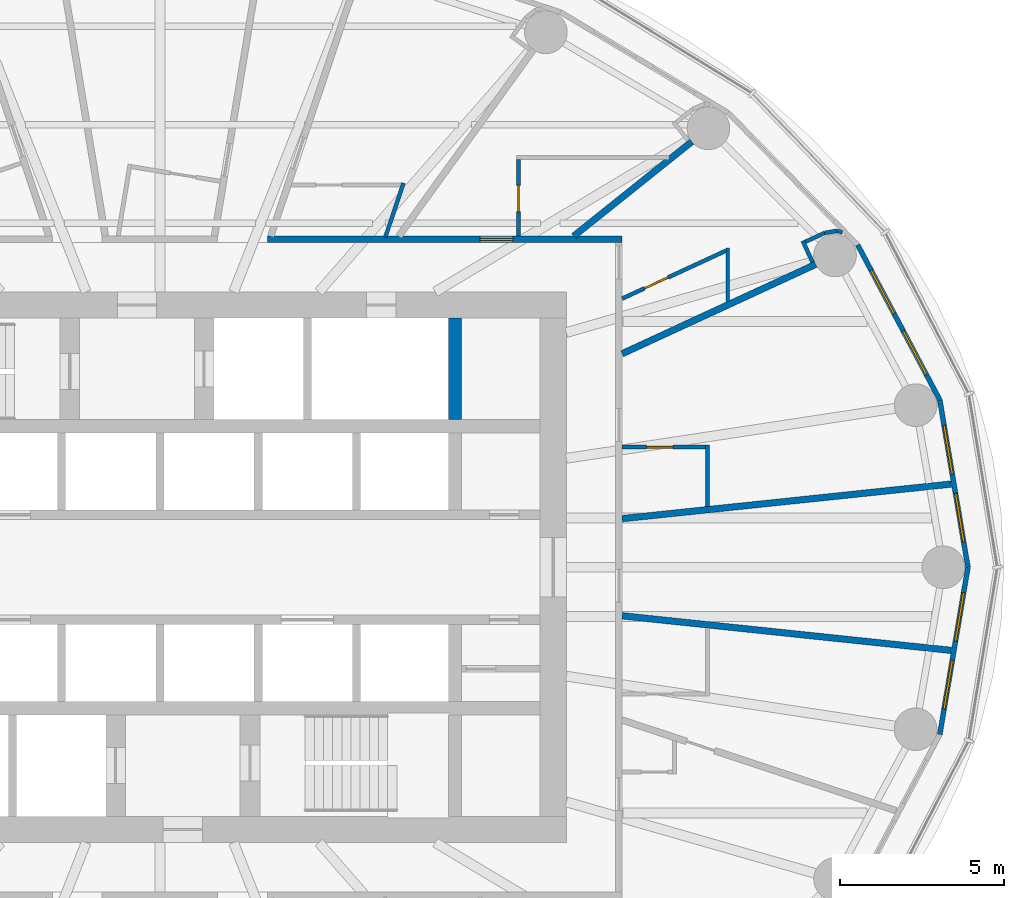
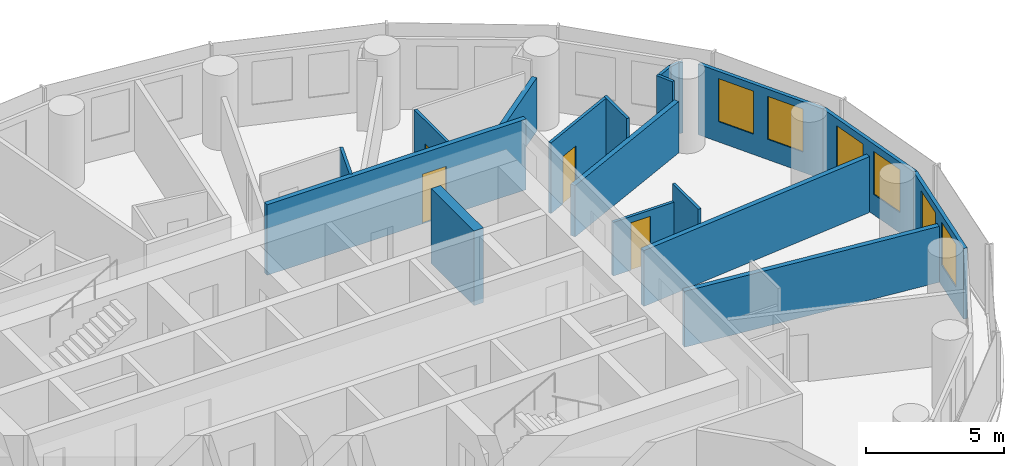
# One storey, part 10 of 13: 19 walls, 6 windows, 4 doors, 10 openings.
"""IFC4 building model written with IfcOpenShell, lengths in metres."""

from ifc_helpers import new_model, si_unit, direction, frame, frame_2d, origin, place, context, subcontext, project, spatial, rectangle, extrude, material, layer, layer_set, type_object, element, fill, save


model = new_model("IFC4")

# Units and contexts
model_context = context("Model", 3, precision=1e-05, world=origin(), true_north=direction((0.0, 1.0)))
body_context = subcontext(model_context, "Body", "Model", "MODEL_VIEW")
ifc_project = project(units=[si_unit("LENGTHUNIT", "METRE"), si_unit("AREAUNIT", "SQUARE_METRE"), si_unit("VOLUMEUNIT", "CUBIC_METRE"), si_unit("PLANEANGLEUNIT", "RADIAN"), si_unit("MASSUNIT", "GRAM", prefix="KILO")], contexts=[model_context])

# Site, building, storey
site_placement = place(None, origin())
site = spatial("IfcSite", under=ifc_project, at=site_placement, CompositionType="ELEMENT")
building_placement = place(site_placement, origin())
building = spatial("IfcBuilding", under=site, at=building_placement, Name="Hankou Lantern Tower", CompositionType="ELEMENT")
storey_placement = place(building_placement, frame((0.0, 0.0, 125.39990234375)))
storey = spatial("IfcBuildingStorey", under=building, at=storey_placement, Name="L32", CompositionType="ELEMENT", Elevation=125.39990234375)

# Wall
ifc_material_1 = material(Name="Concrete C60", Category="concrete")
ifc_layer_1 = layer(ifc_material_1, 0.39990234375)
ifc_layer_set_1 = layer_set([ifc_layer_1], Name="Concrete C60")
wall_type_1 = type_object("IfcWallType", Name="CW4 CORE CROSS WALL 400", PredefinedType="SHEAR", material=ifc_layer_set_1)
wall_1_placement = place(storey_placement, frame((9.0, 4.5, 0.0), z_axis=(0.0, 0.0, 1.0), x_axis=(0.0, 1.0, 0.0)))
element("IfcWall", 1, at=wall_1_placement, inside=storey, type_object=wall_type_1, Name="Core strip wall L32", PredefinedType="SHEAR", context=body_context, shape_type="SweptSolid", body=[
    extrude(rectangle(XDim=3.10009765625, YDim=0.39990234375, at=frame_2d((1.550048828125, 0.0))), origin(), (0.0, 0.0, 1.0), 3.300048828125),
])

# Wall, openings, windows
ifc_material_2 = material(Name="Aluminium spandrel panel on steel studs", Category="steel")
ifc_layer_2 = layer(ifc_material_2, 0.14990234375)
ifc_layer_set_2 = layer_set([ifc_layer_2], Name="Aluminium spandrel panel on steel studs")
wall_type_2 = type_object("IfcWallType", Name="EW1 INNER SKIN WALL 150", PredefinedType="ELEMENTEDWALL", material=ifc_layer_set_2)
wall_2_placement = place(storey_placement, frame((24.64990234375, 0.0, 0.0), z_axis=(0.0, 0.0, 1.0), x_axis=(-0.165883894218, 0.986145290329, 0.0)))
wall_2 = element("IfcWall", 2, at=wall_2_placement, inside=storey, type_object=wall_type_2, Name="Inner skin R01-R02 L32", PredefinedType="ELEMENTEDWALL", context=body_context, shape_type="SweptSolid", body=[
    extrude(rectangle(XDim=5.171630859375, YDim=0.14990234375, at=frame_2d((2.5859375, 0.0))), origin(), (0.0, 0.0, 1.0), 3.1201171875),
])
opening_1_placement = place(wall_2_placement, frame((0.785888671875, 0.0, 0.89990234375)))
opening_1 = element("IfcOpeningElement", 3, at=opening_1_placement, cuts=wall_2, Name="Opening W2", PredefinedType="OPENING", context=body_context, shape_type="SweptSolid", body=[
    extrude(rectangle(XDim=1.5, YDim=1.89990234375, at=frame_2d((0.75, 0.949951171875))), frame((0.0, 0.0849609375, 0.0), z_axis=(0.0, -1.0, 0.0), x_axis=(1.0, 0.0, 0.0)), (0.0, 0.0, 1.0), 0.169921875),
])
opening_2_placement = place(wall_2_placement, frame((2.8857421875, 0.0, 0.89990234375)))
opening_2 = element("IfcOpeningElement", 4, at=opening_2_placement, cuts=wall_2, Name="Opening W2", PredefinedType="OPENING", context=body_context, shape_type="SweptSolid", body=[
    extrude(rectangle(XDim=1.5, YDim=1.89990234375, at=frame_2d((0.75, 0.949951171875))), frame((0.0, 0.0849609375, 0.0), z_axis=(0.0, -1.0, 0.0), x_axis=(1.0, 0.0, 0.0)), (0.0, 0.0, 1.0), 0.169921875),
])
ifc_material_3 = material(Name="Aluminium framed double glazed window", Category="aluminium")
window_type = type_object("IfcWindowType", Name="W2 GUEST ROOM WINDOW 1500X1900", PartitioningType="DOUBLE_PANEL_VERTICAL", PredefinedType="WINDOW", material=ifc_material_3)
window_1_placement = place(opening_1_placement, origin())
window_1 = element("IfcWindow", 5, at=window_1_placement, inside=storey, type_object=window_type, Name="Window R01.1 L32", OverallHeight=1.89990234375, OverallWidth=1.5, PartitioningType="SINGLE_PANEL", PredefinedType="WINDOW", context=body_context, shape_type="SweptSolid", body=[
    extrude(rectangle(XDim=1.5, YDim=1.89990234375, at=frame_2d((0.75, 0.949951171875))), frame((0.0, 0.030029296875, 0.0), z_axis=(0.0, -1.0, 0.0), x_axis=(1.0, 0.0, 0.0)), (0.0, 0.0, 1.0), 0.06005859375),
])
fill(opening_1, window_1)
window_2_placement = place(opening_2_placement, origin())
window_2 = element("IfcWindow", 6, at=window_2_placement, inside=storey, type_object=window_type, Name="Window R01.2 L32", OverallHeight=1.89990234375, OverallWidth=1.5, PartitioningType="SINGLE_PANEL", PredefinedType="WINDOW", context=body_context, shape_type="SweptSolid", body=[
    extrude(rectangle(XDim=1.5, YDim=1.89990234375, at=frame_2d((0.75, 0.949951171875))), frame((0.0, 0.030029296875, 0.0), z_axis=(0.0, -1.0, 0.0), x_axis=(1.0, 0.0, 0.0)), (0.0, 0.0, 1.0), 0.06005859375),
])
fill(opening_2, window_2)

wall_3_placement = place(storey_placement, frame((23.7919921875, 5.10009765625, 0.0), z_axis=(0.0, 0.0, 1.0), x_axis=(-0.467814388454, 0.883826735257, 0.0)))
wall_3 = element("IfcWall", 7, at=wall_3_placement, inside=storey, type_object=wall_type_2, Name="Inner skin R02-R03 L32", PredefinedType="ELEMENTEDWALL", context=body_context, shape_type="SweptSolid", body=[
    extrude(rectangle(XDim=5.35400390625, YDim=0.14990234375, at=frame_2d((2.677001953125, 0.0))), origin(), (0.0, 0.0, 1.0), 3.1201171875),
])
opening_3_placement = place(wall_3_placement, frame((0.876953125, 0.0, 0.89990234375)))
opening_3 = element("IfcOpeningElement", 8, at=opening_3_placement, cuts=wall_3, Name="Opening W2", PredefinedType="OPENING", context=body_context, shape_type="SweptSolid", body=[
    extrude(rectangle(XDim=1.5, YDim=1.89990234375, at=frame_2d((0.75, 0.949951171875))), frame((0.0, 0.0849609375, 0.0), z_axis=(0.0, -1.0, 0.0), x_axis=(1.0, 0.0, 0.0)), (0.0, 0.0, 1.0), 0.169921875),
])
opening_4_placement = place(wall_3_placement, frame((2.97705078125, 0.0, 0.89990234375)))
opening_4 = element("IfcOpeningElement", 9, at=opening_4_placement, cuts=wall_3, Name="Opening W2", PredefinedType="OPENING", context=body_context, shape_type="SweptSolid", body=[
    extrude(rectangle(XDim=1.5, YDim=1.89990234375, at=frame_2d((0.75, 0.949951171875))), frame((0.0, 0.0849609375, 0.0), z_axis=(0.0, -1.0, 0.0), x_axis=(1.0, 0.0, 0.0)), (0.0, 0.0, 1.0), 0.169921875),
])
window_3_placement = place(opening_3_placement, origin())
window_3 = element("IfcWindow", 10, at=window_3_placement, inside=storey, type_object=window_type, Name="Window R02.1 L32", OverallHeight=1.89990234375, OverallWidth=1.5, PartitioningType="SINGLE_PANEL", PredefinedType="WINDOW", context=body_context, shape_type="SweptSolid", body=[
    extrude(rectangle(XDim=1.5, YDim=1.89990234375, at=frame_2d((0.75, 0.949951171875))), frame((0.0, 0.030029296875, 0.0), z_axis=(0.0, -1.0, 0.0), x_axis=(1.0, 0.0, 0.0)), (0.0, 0.0, 1.0), 0.06005859375),
])
fill(opening_3, window_3)
window_4_placement = place(opening_4_placement, origin())
window_4 = element("IfcWindow", 11, at=window_4_placement, inside=storey, type_object=window_type, Name="Window R02.2 L32", OverallHeight=1.89990234375, OverallWidth=1.5, PartitioningType="SINGLE_PANEL", PredefinedType="WINDOW", context=body_context, shape_type="SweptSolid", body=[
    extrude(rectangle(XDim=1.5, YDim=1.89990234375, at=frame_2d((0.75, 0.949951171875))), frame((0.0, 0.030029296875, 0.0), z_axis=(0.0, -1.0, 0.0), x_axis=(1.0, 0.0, 0.0)), (0.0, 0.0, 1.0), 0.06005859375),
])
fill(opening_4, window_4)

wall_4_placement = place(storey_placement, frame((23.7919921875, -5.10009765625, 0.0), z_axis=(0.0, 0.0, 1.0), x_axis=(0.165883894218, 0.986145290329, 0.0)))
wall_4 = element("IfcWall", 12, at=wall_4_placement, inside=storey, type_object=wall_type_2, Name="Inner skin R24-R01 L32", PredefinedType="ELEMENTEDWALL", context=body_context, shape_type="SweptSolid", body=[
    extrude(rectangle(XDim=5.171630859375, YDim=0.14990234375, at=frame_2d((2.5859375, 0.0))), origin(), (0.0, 0.0, 1.0), 3.1201171875),
])
opening_5_placement = place(wall_4_placement, frame((0.785888671875, 0.0, 0.89990234375)))
opening_5 = element("IfcOpeningElement", 13, at=opening_5_placement, cuts=wall_4, Name="Opening W2", PredefinedType="OPENING", context=body_context, shape_type="SweptSolid", body=[
    extrude(rectangle(XDim=1.5, YDim=1.89990234375, at=frame_2d((0.75, 0.949951171875))), frame((0.0, 0.0849609375, 0.0), z_axis=(0.0, -1.0, 0.0), x_axis=(1.0, 0.0, 0.0)), (0.0, 0.0, 1.0), 0.169921875),
])
opening_6_placement = place(wall_4_placement, frame((2.8857421875, 0.0, 0.89990234375)))
opening_6 = element("IfcOpeningElement", 14, at=opening_6_placement, cuts=wall_4, Name="Opening W2", PredefinedType="OPENING", context=body_context, shape_type="SweptSolid", body=[
    extrude(rectangle(XDim=1.5, YDim=1.89990234375, at=frame_2d((0.75, 0.949951171875))), frame((0.0, 0.0849609375, 0.0), z_axis=(0.0, -1.0, 0.0), x_axis=(1.0, 0.0, 0.0)), (0.0, 0.0, 1.0), 0.169921875),
])
window_5_placement = place(opening_5_placement, origin())
window_5 = element("IfcWindow", 15, at=window_5_placement, inside=storey, type_object=window_type, Name="Window R24.1 L32", OverallHeight=1.89990234375, OverallWidth=1.5, PartitioningType="SINGLE_PANEL", PredefinedType="WINDOW", context=body_context, shape_type="SweptSolid", body=[
    extrude(rectangle(XDim=1.5, YDim=1.89990234375, at=frame_2d((0.75, 0.949951171875))), frame((0.0, 0.030029296875, 0.0), z_axis=(0.0, -1.0, 0.0), x_axis=(1.0, 0.0, 0.0)), (0.0, 0.0, 1.0), 0.06005859375),
])
fill(opening_5, window_5)
window_6_placement = place(opening_6_placement, origin())
window_6 = element("IfcWindow", 16, at=window_6_placement, inside=storey, type_object=window_type, Name="Window R24.2 L32", OverallHeight=1.89990234375, OverallWidth=1.5, PartitioningType="SINGLE_PANEL", PredefinedType="WINDOW", context=body_context, shape_type="SweptSolid", body=[
    extrude(rectangle(XDim=1.5, YDim=1.89990234375, at=frame_2d((0.75, 0.949951171875))), frame((0.0, 0.030029296875, 0.0), z_axis=(0.0, -1.0, 0.0), x_axis=(1.0, 0.0, 0.0)), (0.0, 0.0, 1.0), 0.06005859375),
])
fill(opening_6, window_6)

# Walls
ifc_material_4 = material(Name="Masonry lightweight concrete block", Category="masonry")
ifc_layer_3 = layer(ifc_material_4, 0.199951171875)
ifc_layer_set_3 = layer_set([ifc_layer_3], Name="Masonry lightweight concrete block")
wall_type_3 = type_object("IfcWallType", Name="IW1 GUEST ROOM PARTY WALL 200", PredefinedType="PARTITIONING", material=ifc_layer_set_3)
wall_5_placement = place(storey_placement, frame((14.10009765625, 6.512451171875, 0.0), z_axis=(0.0, 0.0, 1.0), x_axis=(0.907833019998, 0.419331858797, 0.0)))
element("IfcWall", 17, at=wall_5_placement, inside=storey, type_object=wall_type_3, Name="Party wall R03", PredefinedType="PARTITIONING", context=body_context, shape_type="SweptSolid", body=[
    extrude(rectangle(XDim=6.505126953125, YDim=0.199951171875, at=frame_2d((3.25244140625, 0.0))), origin(), (0.0, 0.0, 1.0), 2.27001953125),
])
wall_6_placement = place(storey_placement, frame((12.625, 10.10009765625, 0.0), z_axis=(0.0, 0.0, 1.0), x_axis=(0.780863644897, 0.624701503182, 0.0)))
element("IfcWall", 18, at=wall_6_placement, inside=storey, type_object=wall_type_3, Name="Party wall R04", PredefinedType="PARTITIONING", context=body_context, shape_type="SweptSolid", body=[
    extrude(rectangle(XDim=4.612060546875, YDim=0.199951171875, at=frame_2d((2.30615234375, 0.0))), origin(), (0.0, 0.0, 1.0), 2.3701171875),
])

# Wall, opening, door
ifc_material_5 = material(Name="Masonry lightweight concrete block", Category="masonry")
ifc_layer_4 = layer(ifc_material_5, 0.199951171875)
ifc_layer_set_4 = layer_set([ifc_layer_4], Name="Masonry lightweight concrete block")
wall_type_4 = type_object("IfcWallType", Name="IW2 CORRIDOR WALL 200", PredefinedType="PARTITIONING", material=ifc_layer_set_4)
wall_7_placement = place(storey_placement, frame((3.282958984375, 10.0, 0.0), z_axis=(0.0, 0.0, 1.0), x_axis=(1.0, 0.0, 0.0)))
wall_7 = element("IfcWall", 19, at=wall_7_placement, inside=storey, type_object=wall_type_4, Name="Corridor wall north", PredefinedType="PARTITIONING", context=body_context, shape_type="SweptSolid", body=[
    extrude(rectangle(XDim=10.817138671875, YDim=0.199951171875, at=frame_2d((5.40869140625, 0.0))), origin(), (0.0, 0.0, 1.0), 3.1201171875),
])
opening_7_placement = place(wall_7_placement, frame((6.482177734375, 0.0, 0.0)))
opening_7 = element("IfcOpeningElement", 20, at=opening_7_placement, cuts=wall_7, Name="Opening D1", PredefinedType="OPENING", context=body_context, shape_type="SweptSolid", body=[
    extrude(rectangle(XDim=1.0, YDim=2.199951171875, at=frame_2d((0.5, 1.10009765625))), frame((0.0, 0.10986328125, 0.0), z_axis=(0.0, -1.0, 0.0), x_axis=(1.0, 0.0, 0.0)), (0.0, 0.0, 1.0), 0.219970703125),
])
ifc_material_6 = material(Name="Steel door leaf", Category="steel")
door_type_1 = type_object("IfcDoorType", Name="D1 GUEST ROOM DOOR 1000X2200", OperationType="SINGLE_SWING_LEFT", PredefinedType="DOOR", material=ifc_material_6)
door_1_placement = place(opening_7_placement, origin())
door_1 = element("IfcDoor", 21, at=door_1_placement, inside=storey, type_object=door_type_1, Name="Guest room door 3219", OperationType="SINGLE_SWING_RIGHT", OverallHeight=2.199951171875, OverallWidth=1.0, PredefinedType="DOOR", context=body_context, shape_type="SweptSolid", body=[
    extrude(rectangle(XDim=1.0, YDim=2.199951171875, at=frame_2d((0.5, 1.10009765625))), frame((0.0, 0.02490234375, 0.0), z_axis=(0.0, -1.0, 0.0), x_axis=(1.0, 0.0, 0.0)), (0.0, 0.0, 1.0), 0.050048828125),
])
fill(opening_7, door_1)

# Wall
ifc_material_7 = material(Name="Masonry lightweight concrete block", Category="masonry")
ifc_layer_5 = layer(ifc_material_7, 0.1201171875)
ifc_layer_set_5 = layer_set([ifc_layer_5], Name="Masonry lightweight concrete block")
wall_type_5 = type_object("IfcWallType", Name="IW3 BATHROOM WALL 120", PredefinedType="PARTITIONING", material=ifc_layer_set_5)
wall_8_placement = place(storey_placement, frame((16.699951171875, 1.85498046875, 0.0), z_axis=(0.0, 0.0, 1.0), x_axis=(0.0, 1.0, 0.0)))
element("IfcWall", 22, at=wall_8_placement, inside=storey, type_object=wall_type_5, Name="Box wall 3217 1", PredefinedType="PARTITIONING", context=body_context, shape_type="SweptSolid", body=[
    extrude(rectangle(XDim=1.86669921875, YDim=0.1201171875, at=frame_2d((0.933349609375, 0.0))), origin(), (0.0, 0.0, 1.0), 3.1201171875),
])

# Wall, opening, door
wall_9_placement = place(storey_placement, frame((14.10009765625, 3.661865234375, 0.0), z_axis=(0.0, 0.0, 1.0), x_axis=(1.0, 0.0, 0.0)))
wall_9 = element("IfcWall", 23, at=wall_9_placement, inside=storey, type_object=wall_type_5, Name="Box wall 3217 1", PredefinedType="PARTITIONING", context=body_context, shape_type="SweptSolid", body=[
    extrude(rectangle(XDim=2.539794921875, YDim=0.1201171875, at=frame_2d((1.27001953125, 0.0))), origin(), (0.0, 0.0, 1.0), 2.3701171875),
])
opening_8_placement = place(wall_9_placement, frame((0.75, 0.0, 0.0)))
opening_8 = element("IfcOpeningElement", 24, at=opening_8_placement, cuts=wall_9, Name="Opening D3", PredefinedType="OPENING", context=body_context, shape_type="SweptSolid", body=[
    extrude(rectangle(XDim=0.800048828125, YDim=2.10009765625, at=frame_2d((0.39990234375, 1.050048828125))), frame((0.0, 0.070068359375, 0.0), z_axis=(0.0, -1.0, 0.0), x_axis=(1.0, 0.0, 0.0)), (0.0, 0.0, 1.0), 0.14013671875),
])
ifc_material_8 = material(Name="Timber door leaf", Category="wood")
door_type_2 = type_object("IfcDoorType", Name="D3 BATHROOM DOOR 800X2100", OperationType="SINGLE_SWING_LEFT", PredefinedType="DOOR", material=ifc_material_8)
door_2_placement = place(opening_8_placement, origin())
door_2 = element("IfcDoor", 25, at=door_2_placement, inside=storey, type_object=door_type_2, Name="En-suite bathroom 3217 door", OperationType="SINGLE_SWING_LEFT", OverallHeight=2.10009765625, OverallWidth=0.800048828125, PredefinedType="DOOR", context=body_context, shape_type="SweptSolid", body=[
    extrude(rectangle(XDim=0.800048828125, YDim=2.10009765625, at=frame_2d((0.39990234375, 1.050048828125))), frame((0.0, 0.02490234375, 0.0), z_axis=(0.0, -1.0, 0.0), x_axis=(1.0, 0.0, 0.0)), (0.0, 0.0, 1.0), 0.050048828125),
])
fill(opening_8, door_2)

# Wall
wall_10_placement = place(storey_placement, frame((17.32275390625, 8.10107421875, 0.0), z_axis=(0.0, 0.0, 1.0), x_axis=(0.0, 1.0, 0.0)))
element("IfcWall", 26, at=wall_10_placement, inside=storey, type_object=wall_type_5, Name="Box wall 3218 1", PredefinedType="PARTITIONING", context=body_context, shape_type="SweptSolid", body=[
    extrude(rectangle(XDim=1.639892578125, YDim=0.1201171875, at=frame_2d((0.81982421875, 0.0))), origin(), (0.0, 0.0, 1.0), 3.1201171875),
])

# Wall, opening, door
wall_11_placement = place(storey_placement, frame((14.10009765625, 8.192626953125, 0.0), z_axis=(0.0, 0.0, 1.0), x_axis=(0.907836493557, 0.419324338628, 0.0)))
wall_11 = element("IfcWall", 27, at=wall_11_placement, inside=storey, type_object=wall_type_5, Name="Box wall 3218 1", PredefinedType="PARTITIONING", context=body_context, shape_type="SweptSolid", body=[
    extrude(rectangle(XDim=3.48974609375, YDim=0.1201171875, at=frame_2d((1.744873046875, 0.0))), origin(), (0.0, 0.0, 1.0), 3.1201171875),
])
opening_9_placement = place(wall_11_placement, frame((0.75, 0.0, 0.0)))
opening_9 = element("IfcOpeningElement", 28, at=opening_9_placement, cuts=wall_11, Name="Opening D3", PredefinedType="OPENING", context=body_context, shape_type="SweptSolid", body=[
    extrude(rectangle(XDim=0.800048828125, YDim=2.10009765625, at=frame_2d((0.39990234375, 1.050048828125))), frame((0.0, 0.070068359375, 0.0), z_axis=(0.0, -1.0, 0.0), x_axis=(1.0, 0.0, 0.0)), (0.0, 0.0, 1.0), 0.14013671875),
])
door_3_placement = place(opening_9_placement, origin())
door_3 = element("IfcDoor", 29, at=door_3_placement, inside=storey, type_object=door_type_2, Name="En-suite bathroom 3218 door", OperationType="SINGLE_SWING_LEFT", OverallHeight=2.10009765625, OverallWidth=0.800048828125, PredefinedType="DOOR", context=body_context, shape_type="SweptSolid", body=[
    extrude(rectangle(XDim=0.800048828125, YDim=2.10009765625, at=frame_2d((0.39990234375, 1.050048828125))), frame((0.0, 0.02490234375, 0.0), z_axis=(0.0, -1.0, 0.0), x_axis=(1.0, 0.0, 0.0)), (0.0, 0.0, 1.0), 0.050048828125),
])
fill(opening_9, door_3)

wall_12_placement = place(storey_placement, frame((10.945068359375, 10.10009765625, 0.0), z_axis=(0.0, 0.0, 1.0), x_axis=(0.0, 1.0, 0.0)))
wall_12 = element("IfcWall", 30, at=wall_12_placement, inside=storey, type_object=wall_type_5, Name="Box wall 3219 1", PredefinedType="PARTITIONING", context=body_context, shape_type="SweptSolid", body=[
    extrude(rectangle(XDim=2.33984375, YDim=0.1201171875, at=frame_2d((1.169921875, 0.0))), origin(), (0.0, 0.0, 1.0), 3.1201171875),
])
opening_10_placement = place(wall_12_placement, frame((0.75, 0.0, 0.0)))
opening_10 = element("IfcOpeningElement", 31, at=opening_10_placement, cuts=wall_12, Name="Opening D3", PredefinedType="OPENING", context=body_context, shape_type="SweptSolid", body=[
    extrude(rectangle(XDim=0.800048828125, YDim=2.10009765625, at=frame_2d((0.39990234375, 1.050048828125))), frame((0.0, 0.070068359375, 0.0), z_axis=(0.0, -1.0, 0.0), x_axis=(1.0, 0.0, 0.0)), (0.0, 0.0, 1.0), 0.14013671875),
])
door_4_placement = place(opening_10_placement, origin())
door_4 = element("IfcDoor", 32, at=door_4_placement, inside=storey, type_object=door_type_2, Name="En-suite bathroom 3219 door", OperationType="SINGLE_SWING_LEFT", OverallHeight=2.10009765625, OverallWidth=0.800048828125, PredefinedType="DOOR", context=body_context, shape_type="SweptSolid", body=[
    extrude(rectangle(XDim=0.800048828125, YDim=2.10009765625, at=frame_2d((0.39990234375, 1.050048828125))), frame((0.0, 0.02490234375, 0.0), z_axis=(0.0, -1.0, 0.0), x_axis=(1.0, 0.0, 0.0)), (0.0, 0.0, 1.0), 0.050048828125),
])
fill(opening_10, door_4)

# Walls
wall_13_placement = place(storey_placement, frame((6.877685546875, 10.068359375, 0.0), z_axis=(0.0, 0.0, 1.0), x_axis=(0.317532394508, 0.948247424694, 0.0)))
element("IfcWall", 33, at=wall_13_placement, inside=storey, type_object=wall_type_5, Name="Box wall 3220 1", PredefinedType="PARTITIONING", context=body_context, shape_type="SweptSolid", body=[
    extrude(rectangle(XDim=1.739990234375, YDim=0.1201171875, at=frame_2d((0.8701171875, 0.0))), origin(), (0.0, 0.0, 1.0), 3.1201171875),
])
ifc_material_9 = material(Name="Masonry lightweight concrete block", Category="masonry")
ifc_layer_6 = layer(ifc_material_9, 0.1201171875)
ifc_layer_set_6 = layer_set([ifc_layer_6], Name="Masonry lightweight concrete block")
wall_type_6 = type_object("IfcWallType", Name="IW4 PARTITION 120", PredefinedType="PARTITIONING", material=ifc_layer_set_6)
wall_14_placement = place(storey_placement, frame((19.9091796875, 9.305908203125, 0.0), z_axis=(0.0, 0.0, 1.0), x_axis=(-0.419296148934, 0.90784951368, 0.0)))
element("IfcWall", 34, at=wall_14_placement, inside=storey, type_object=wall_type_6, Name="Column casing R03 return", PredefinedType="PARTITIONING", context=body_context, shape_type="SweptSolid", body=[
    extrude(rectangle(XDim=0.715576171875, YDim=0.1201171875, at=frame_2d((0.35791015625, 0.0))), origin(), (0.0, 0.0, 1.0), 3.1201171875),
])
wall_15_placement = place(storey_placement, frame((19.688720703125, 9.92626953125, 0.0), z_axis=(0.0, 0.0, 1.0), x_axis=(0.907893409272, 0.419201094227, 0.0)))
element("IfcWall", 35, at=wall_15_placement, inside=storey, type_object=wall_type_6, Name="Column casing R03", PredefinedType="PARTITIONING", context=body_context, shape_type="SweptSolid", body=[
    extrude(rectangle(XDim=0.64990234375, YDim=0.1201171875, at=frame_2d((0.324951171875, 0.0))), origin(), (0.0, 0.0, 1.0), 3.1201171875),
])
wall_16_placement = place(storey_placement, frame((20.27880859375, 10.19873046875, 0.0), z_axis=(0.0, 0.0, 1.0), x_axis=(0.985380740712, 0.170366651181, 0.0)))
element("IfcWall", 36, at=wall_16_placement, inside=storey, type_object=wall_type_6, Name="Column casing R03", PredefinedType="PARTITIONING", context=body_context, shape_type="SweptSolid", body=[
    extrude(rectangle(XDim=0.39111328125, YDim=0.1201171875, at=frame_2d((0.195556640625, 0.0))), origin(), (0.0, 0.0, 1.0), 3.1201171875),
])
wall_17_placement = place(storey_placement, frame((20.664306640625, 10.265380859375, 0.0), z_axis=(0.0, 0.0, 1.0), x_axis=(0.938058651481, -0.346476501918, 0.0)))
element("IfcWall", 37, at=wall_17_placement, inside=storey, type_object=wall_type_6, Name="Column casing R03", PredefinedType="PARTITIONING", context=body_context, shape_type="SweptSolid", body=[
    extrude(rectangle(XDim=0.161376953125, YDim=0.1201171875, at=frame_2d((0.08056640625, 0.0))), origin(), (0.0, 0.0, 1.0), 3.1201171875),
])
ifc_material_10 = material(Name="Masonry lightweight concrete block", Category="masonry")
ifc_layer_7 = layer(ifc_material_10, 0.199951171875)
ifc_layer_set_7 = layer_set([ifc_layer_7], Name="Masonry lightweight concrete block")
wall_type_7 = type_object("IfcWallType", Name="IW8 PARTITION 200", PredefinedType="PARTITIONING", material=ifc_layer_set_7)
for number, where, z_axis, x_axis, name in (
    (38, (14.10009765625, 1.481689453125, 0.0), (0.0, 0.0, 1.0), (0.994523202615, 0.104516024894, 0.0), "Partition R01-R02"),
    (39, (14.10009765625, -1.481689453125, 0.0), (0.0, 0.0, 1.0), (0.994523202615, -0.104516024894, 0.0), "Partition R24-R01"),
):
    element("IfcWall", number, at=place(storey_placement, frame(where, z_axis=z_axis, x_axis=x_axis)), inside=storey, type_object=wall_type_7, Name=name, PredefinedType="PARTITIONING", context=body_context, shape_type="SweptSolid", body=[
        extrude(rectangle(XDim=10.091064453125, YDim=0.199951171875, at=frame_2d((5.04541015625, 0.0))), origin(), (0.0, 0.0, 1.0), 2.47021484375),
    ])

save(model, "model.ifc")
